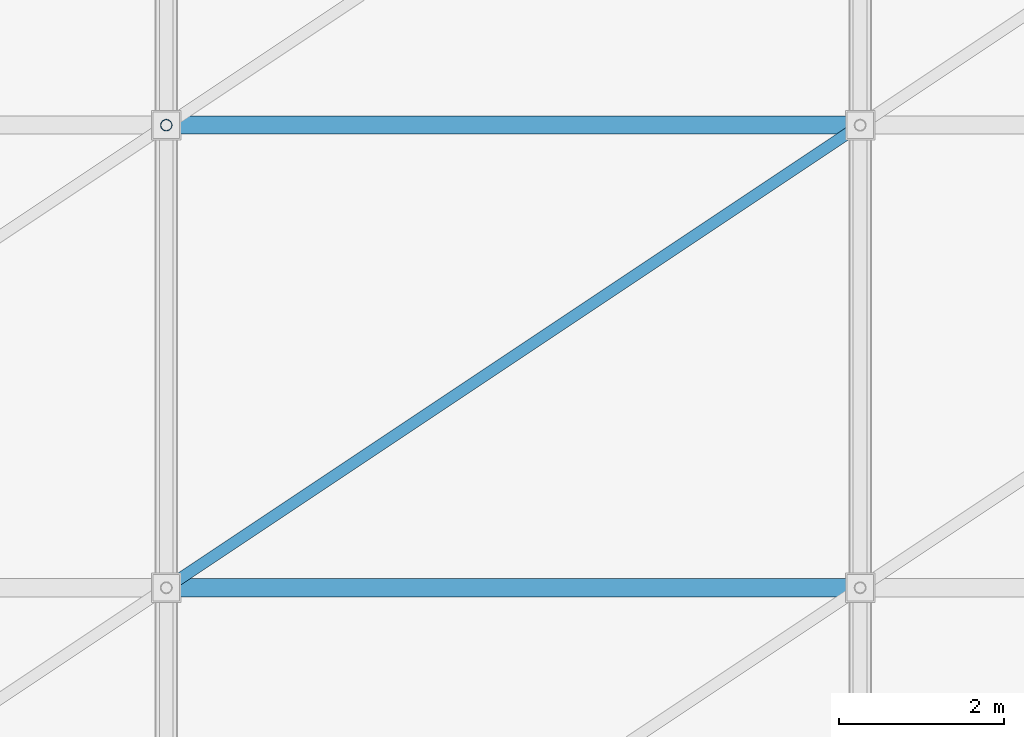
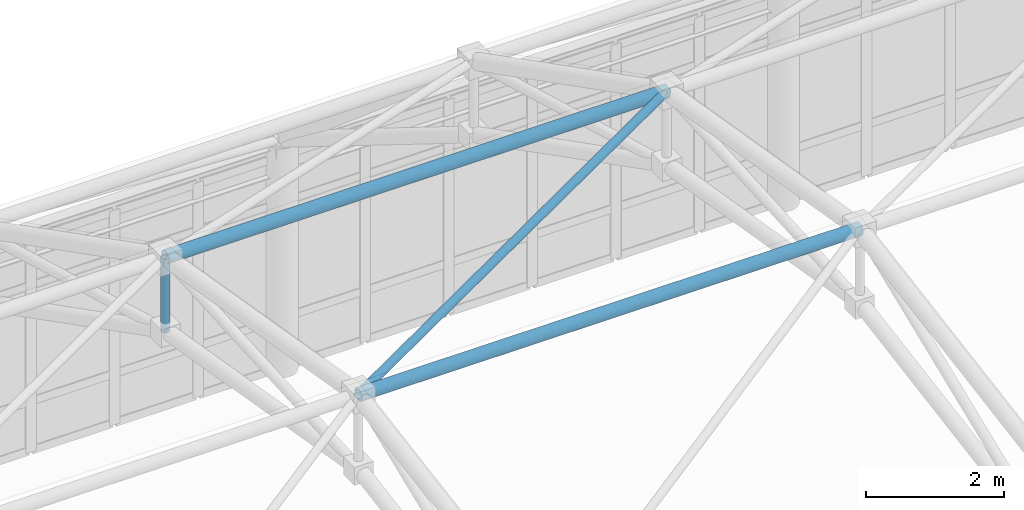
# One storey, part 42 of 184: 4 members.
"""IFC4 building model written with IfcOpenShell, lengths in metres."""

from ifc_helpers import new_model, si_unit, direction, frame, origin, origin_2d, place, context, subcontext, project, spatial, hollow_circle, extrude, material, material_profile, profile_set, type_object, element, save


model = new_model("IFC4")

# Units and contexts
model_context = context("Model", 3, precision=1e-05, world=origin(), true_north=direction((0.0, 1.0)))
body_context = subcontext(model_context, "Body", "Model", "MODEL_VIEW")
ifc_project = project(units=[si_unit("LENGTHUNIT", "METRE"), si_unit("AREAUNIT", "SQUARE_METRE"), si_unit("VOLUMEUNIT", "CUBIC_METRE"), si_unit("PLANEANGLEUNIT", "RADIAN"), si_unit("MASSUNIT", "GRAM", prefix="KILO")], contexts=[model_context])

# Site, building, storey
site_placement = place(None, origin())
site = spatial("IfcSite", under=ifc_project, at=site_placement, CompositionType="ELEMENT")
building_placement = place(site_placement, origin())
building = spatial("IfcBuilding", under=site, at=building_placement, Name="Qalvenar Corner Mobility Hub", CompositionType="ELEMENT")
storey_placement = place(building_placement, frame((0.0, 0.0, 9.0)))
storey = spatial("IfcBuildingStorey", under=building, at=storey_placement, Name="L02", CompositionType="ELEMENT", Elevation=9.0)

# Members
ifc_material = material(Name="Steel S355", Category="steel")
ifc_material_profile_1 = material_profile(ifc_material, hollow_circle(Radius=0.109619140625, WallThickness=0.008056640625, at=origin_2d()), Name="CHS219.1x8")
ifc_profile_set_1 = profile_set([ifc_material_profile_1], Name="Steel S355")
member_type_1 = type_object("IfcMemberType", Name="SF-CHD219", PredefinedType="CHORD", material=ifc_profile_set_1)
for number, where, z_axis, x_axis, name in (
    (1, (58.800048828125, 16.800048828125, 12.659912109375), (1.0, 0.0, 0.0), (0.0, 1.0, 0.0), "Space Frame Longitudinal Chord SFL-0182"),
    (2, (58.800048828125, 22.39990234375, 11.704345703125), (1.0, 0.0, 0.0), (0.0, 1.0, 0.0), "Space Frame Longitudinal Chord SFL-0183"),
):
    element("IfcMember", number, at=place(storey_placement, frame(where, z_axis=z_axis, x_axis=x_axis)), inside=storey, type_object=member_type_1, Name=name, PredefinedType="CHORD", context=body_context, shape_type="SweptSolid", body=[
        extrude(hollow_circle(Radius=0.109619140625, WallThickness=0.008056640625, at=origin_2d()), origin(), (0.0, 0.0, 1.0), 8.39990234375),
    ])
ifc_material_profile_2 = material_profile(ifc_material, hollow_circle(Radius=0.06982421875, WallThickness=0.0048828125, at=origin_2d()), Name="CHS139.7x5")
ifc_profile_set_2 = profile_set([ifc_material_profile_2], Name="Steel S355")
member_type_2 = type_object("IfcMemberType", Name="SF-STR139", PredefinedType="STRUT", material=ifc_profile_set_2)
member_1_placement = place(storey_placement, frame((58.800048828125, 22.39990234375, 10.404296875), z_axis=(0.0, 0.0, 1.0), x_axis=(1.0, 0.0, 0.0)))
element("IfcMember", 3, at=member_1_placement, inside=storey, type_object=member_type_2, Name="Space Frame King Strut SFV-0041", PredefinedType="STRUT", context=body_context, shape_type="SweptSolid", body=[
    extrude(hollow_circle(Radius=0.06982421875, WallThickness=0.0048828125, at=origin_2d()), origin(), (0.0, 0.0, 1.0), 1.300048828125),
])
member_2_placement = place(storey_placement, frame((58.800048828125, 16.800048828125, 12.659912109375), z_axis=(0.828351545185, 0.552226338194, -0.094232632327), x_axis=(-0.554694615428, 0.832054014842, 0.0)))
element("IfcMember", 4, at=member_2_placement, inside=storey, type_object=member_type_2, Name="Space Frame Plan Strut SFP-0188", PredefinedType="STRUT", context=body_context, shape_type="SweptSolid", body=[
    extrude(hollow_circle(Radius=0.06982421875, WallThickness=0.0048828125, at=origin_2d()), origin(), (0.0, 0.0, 1.0), 10.140625),
])

save(model, "model.ifc")
